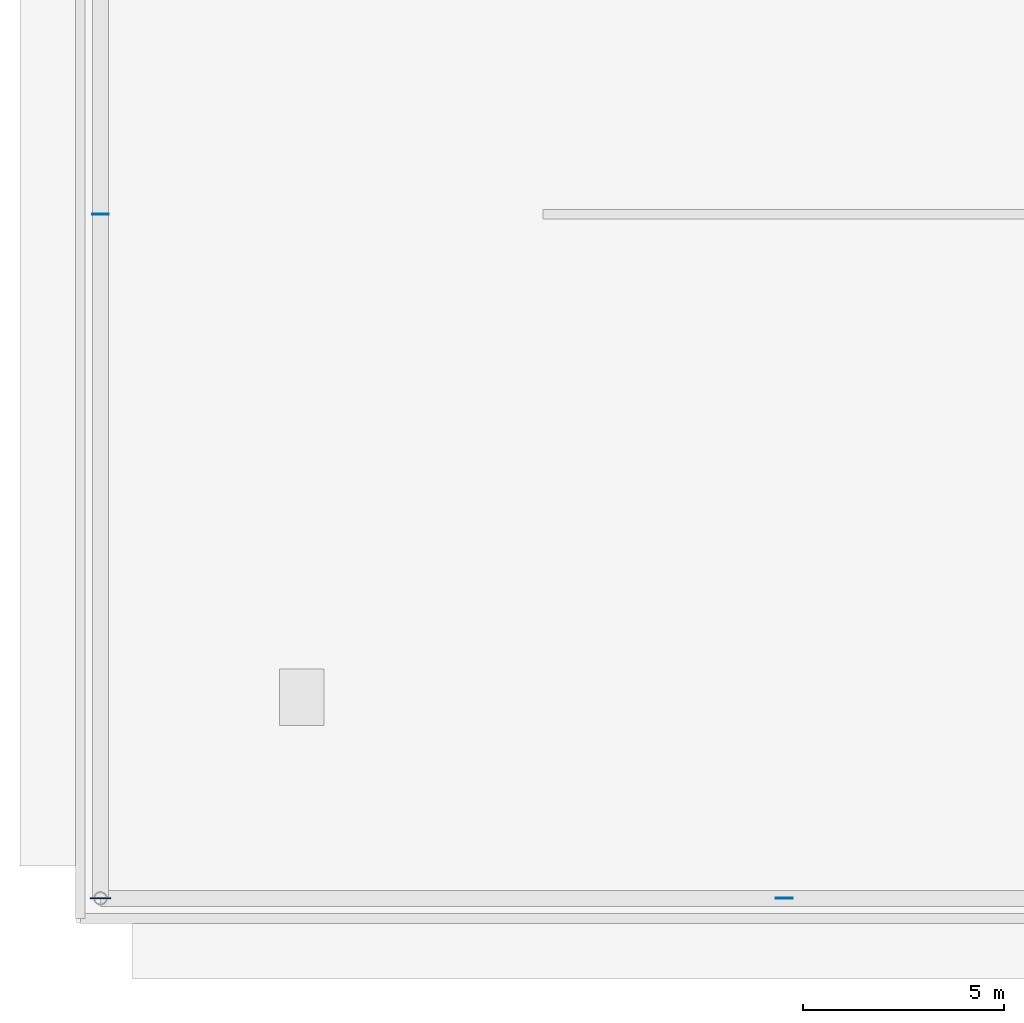
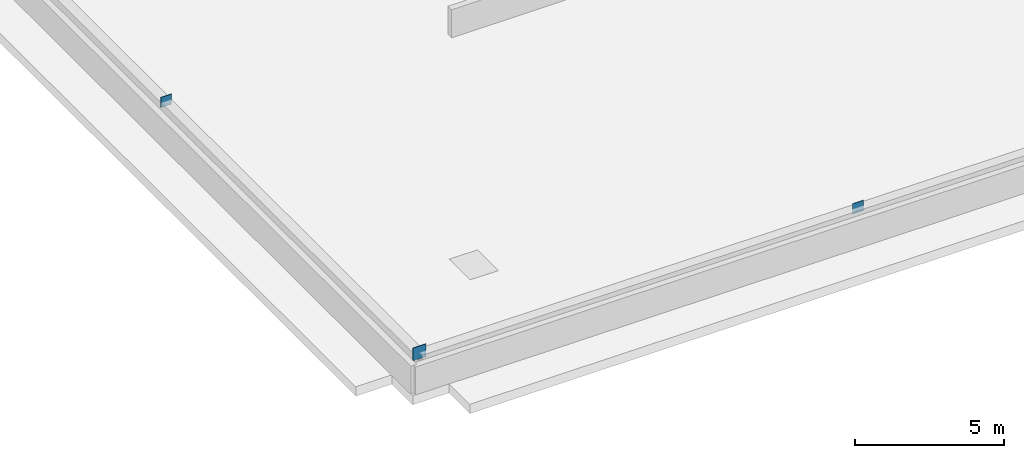
# One storey, part 6 of 9: 3 plates.
"""IFC4 building model written with IfcOpenShell, lengths in metres."""

from ifc_helpers import new_model, si_unit, direction, frame, origin, origin_2d, place, context, subcontext, project, spatial, rectangle, extrude, source, transform, mapped, material, layer, layer_set, type_object, element, save


model = new_model("IFC4")

# Units and contexts
model_context = context("Model", 3, precision=1e-05, world=origin(), true_north=direction((0.0, 1.0)))
body_context = subcontext(model_context, "Body", "Model", "MODEL_VIEW")
ifc_project = project(units=[si_unit("LENGTHUNIT", "METRE"), si_unit("AREAUNIT", "SQUARE_METRE"), si_unit("VOLUMEUNIT", "CUBIC_METRE"), si_unit("PLANEANGLEUNIT", "RADIAN"), si_unit("MASSUNIT", "GRAM", prefix="KILO")], contexts=[model_context])

# Site, building, storey
site_placement = place(None, origin())
site = spatial("IfcSite", under=ifc_project, at=site_placement, CompositionType="ELEMENT")
building_placement = place(site_placement, origin())
building = spatial("IfcBuilding", under=site, at=building_placement, Name="Nahalor Promenade Grand Hotel", CompositionType="ELEMENT")
storey_placement = place(building_placement, frame((0.0, 0.0, 375.449951171875)))
storey = spatial("IfcBuildingStorey", under=building, at=storey_placement, Name="RF", CompositionType="ELEMENT", Elevation=375.449951171875)

# Plates
ifc_material = material(Name="Steel S355JR", Category="steel")
ifc_layer_1 = layer(ifc_material, 0.02490234375)
ifc_layer_set_1 = layer_set([ifc_layer_1], Name="Steel S355JR")
plate_type_1 = type_object("IfcPlateType", Name="Plate-EndCap-25", PredefinedType="USERDEFINED", material=ifc_layer_set_1)
shared_shape_1 = source(origin(), body_context, "Body", "SweptSolid", [
    extrude(rectangle(XDim=0.52001953125, YDim=0.02490234375, at=origin_2d()), origin(), (0.0, 0.0, 1.0), 0.52001953125),
])
plate_placement = place(storey_placement, frame((-17.0, -17.0, 0.93994140625), z_axis=(0.0, 0.0, 1.0), x_axis=(1.0, 0.0, 0.0)))
element("IfcPlate", 1, at=plate_placement, inside=storey, type_object=plate_type_1, Name="PL-RF-CN1-0", ObjectType="CAP_PLATE", PredefinedType="USERDEFINED", context=body_context, shape_type="MappedRepresentation", body=[
    mapped(shared_shape_1, transform((0.0, 0.0, 0.0), scale=1.0)),
])
ifc_layer_2 = layer(ifc_material, 0.02001953125)
ifc_layer_set_2 = layer_set([ifc_layer_2], Name="Steel S355JR")
plate_type_2 = type_object("IfcPlateType", Name="Plate-EndCap-20", PredefinedType="USERDEFINED", material=ifc_layer_set_2)
shared_shape_2 = source(origin(), body_context, "Body", "SweptSolid", [
    extrude(rectangle(XDim=0.419921875, YDim=0.02001953125, at=origin_2d()), origin(), (0.0, 0.0, 1.0), 0.419921875),
])
for number, where, z_axis, x_axis, name in (
    (2, (0.0, -17.0, 0.989990234375), (0.0, 0.0, 1.0), (1.0, 0.0, 0.0), "PL-RF-CAP2-0"),
    (3, (-17.0, 0.0, 0.989990234375), (0.0, 0.0, 1.0), (1.0, 0.0, 0.0), "PL-RF-CAP2-3"),
):
    element("IfcPlate", number, at=place(storey_placement, frame(where, z_axis=z_axis, x_axis=x_axis)), inside=storey, type_object=plate_type_2, Name=name, ObjectType="CAP_PLATE", PredefinedType="USERDEFINED", context=body_context, shape_type="MappedRepresentation", body=[
        mapped(shared_shape_2, transform((0.0, 0.0, 0.0), scale=1.0)),
    ])

save(model, "model.ifc")
